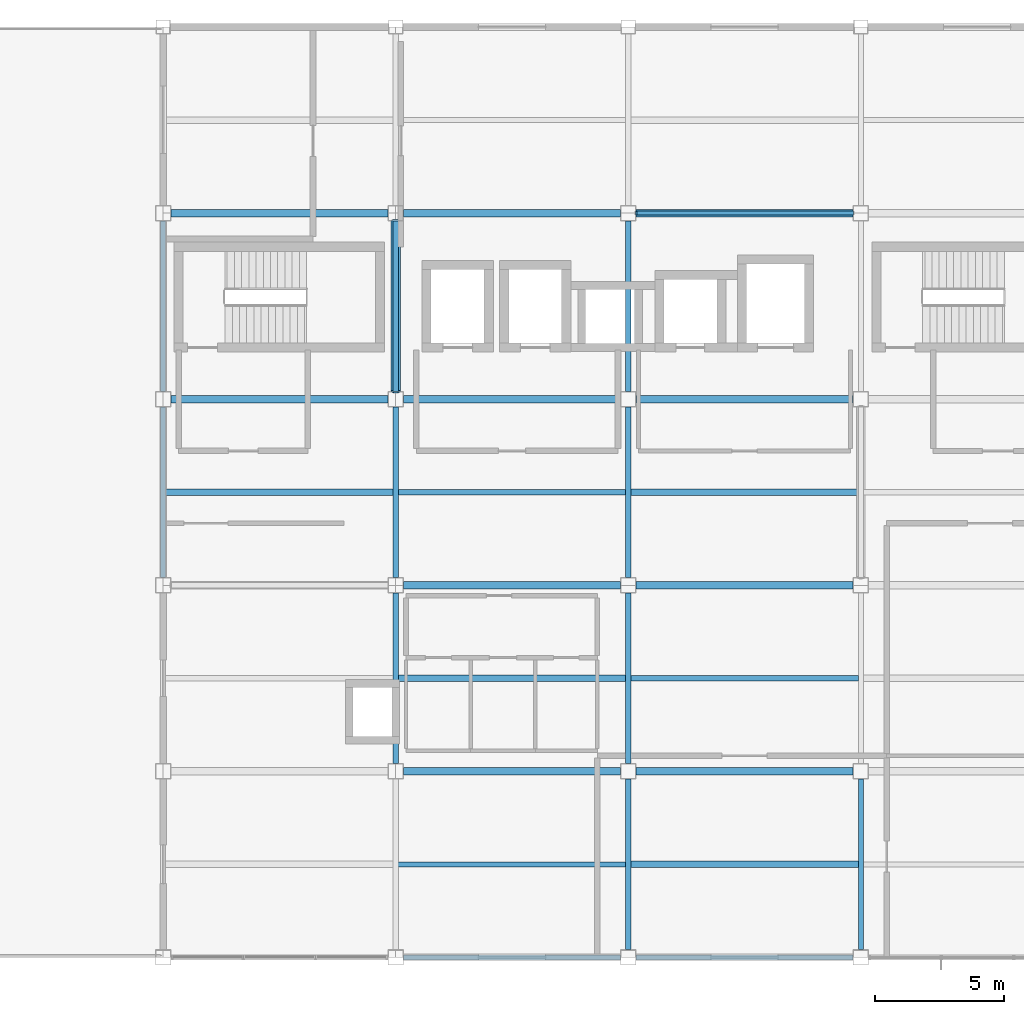
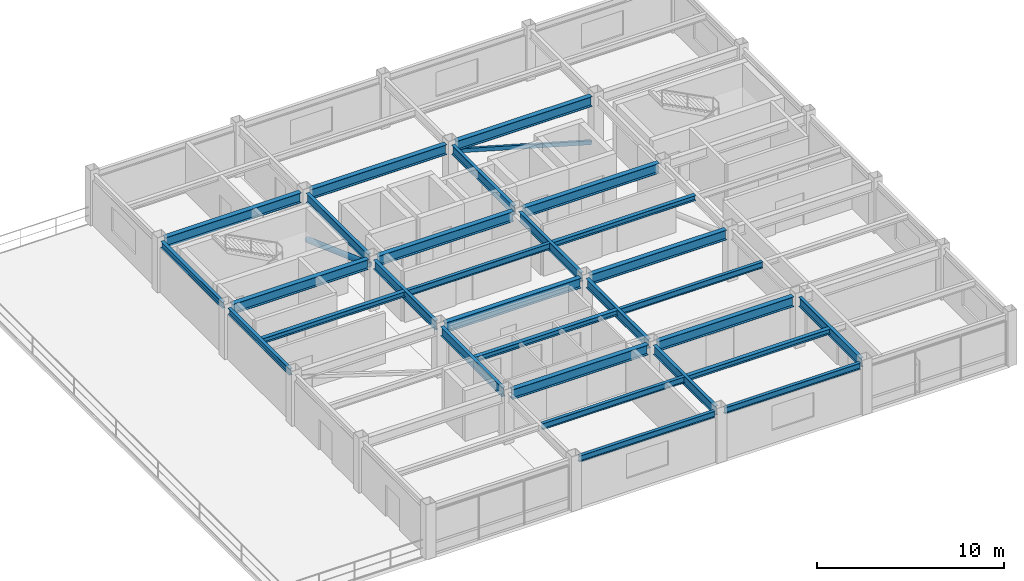
# One storey, part 3 of 11: 29 beams, 2 members.
"""IFC4 building model written with IfcOpenShell, lengths in metres."""

from ifc_helpers import new_model, si_unit, direction, frame, origin, origin_2d, place, context, subcontext, project, spatial, hollow_rectangle, hollow_circle, i_section, extrude, material, material_profile, profile_set, type_object, element, save


model = new_model("IFC4")

# Units and contexts
model_context = context("Model", 3, precision=1e-05, world=origin(), true_north=direction((0.0, 1.0)))
body_context = subcontext(model_context, "Body", "Model", "MODEL_VIEW")
ifc_project = project(units=[si_unit("LENGTHUNIT", "METRE"), si_unit("AREAUNIT", "SQUARE_METRE"), si_unit("VOLUMEUNIT", "CUBIC_METRE"), si_unit("PLANEANGLEUNIT", "RADIAN"), si_unit("MASSUNIT", "GRAM", prefix="KILO")], contexts=[model_context])

# Site, building, storey
site_placement = place(None, origin())
site = spatial("IfcSite", under=ifc_project, at=site_placement, CompositionType="ELEMENT")
building_placement = place(site_placement, origin())
building = spatial("IfcBuilding", under=site, at=building_placement, Name="Kazanami Central Library", CompositionType="ELEMENT")
storey_placement = place(building_placement, frame((0.0, 0.0, 24.199951171875)))
storey = spatial("IfcBuildingStorey", under=building, at=storey_placement, Name="L07", CompositionType="ELEMENT", Elevation=24.199951171875)

# Beams
ifc_material_1 = material(Name="Steel SN400B (235 MPa)", Category="steel")
ifc_material_profile_1 = material_profile(ifc_material_1, i_section(OverallWidth=0.199951171875, OverallDepth=0.39990234375, WebThickness=0.008056640625, FlangeThickness=0.012939453125, at=origin_2d()), Name="H-400x200x8x13")
ifc_profile_set_1 = profile_set([ifc_material_profile_1], Name="Steel SN400B (235 MPa)")
beam_type_1 = type_object("IfcBeamType", Name="BM-B-S1", PredefinedType="JOIST", material=ifc_profile_set_1)
for number, where, z_axis, x_axis, name in (
    (1, (135.097900390625, 61.199951171875, 3.1201171875), (1.0, 0.0, 0.0), (0.0, 1.0, 0.0), "Composite Secondary Joist B-S1 L07 Bay 16/J.1"),
    (2, (135.097900390625, 75.60009765625, 3.1201171875), (1.0, 0.0, 0.0), (0.0, 1.0, 0.0), "Composite Secondary Joist B-S1 L07 Bay 16/L.1"),
    (3, (144.097900390625, 68.39990234375, 3.1201171875), (1.0, 0.0, 0.0), (0.0, 1.0, 0.0), "Composite Secondary Joist B-S1 L07 Bay 17/K.1"),
):
    element("IfcBeam", number, at=place(storey_placement, frame(where, z_axis=z_axis, x_axis=x_axis)), inside=storey, type_object=beam_type_1, Name=name, PredefinedType="JOIST", context=body_context, shape_type="SweptSolid", body=[
        extrude(i_section(OverallWidth=0.199951171875, OverallDepth=0.39990234375, WebThickness=0.008056640625, FlangeThickness=0.012939453125, at=origin_2d()), origin(), (0.0, 0.0, 1.0), 8.80419921875),
    ])
ifc_material_profile_2 = material_profile(ifc_material_1, i_section(OverallWidth=0.25, OverallDepth=0.340087890625, WebThickness=0.009033203125, FlangeThickness=0.013916015625, at=origin_2d()), Name="H-340x250x9x14")
ifc_profile_set_2 = profile_set([ifc_material_profile_2], Name="Steel SN400B (235 MPa)")
beam_type_2 = type_object("IfcBeamType", Name="BM-B-S3", PredefinedType="JOIST", material=ifc_profile_set_2)
for number, where, z_axis, x_axis, name in (
    (4, (126.097900390625, 75.60009765625, 3.150146484375), (1.0, 0.0, 0.0), (0.0, 1.0, 0.0), "Composite Secondary Joist B-S3 L07 Bay 15/L.1"),
    (5, (135.097900390625, 68.39990234375, 3.150146484375), (1.0, 0.0, 0.0), (0.0, 1.0, 0.0), "Composite Secondary Joist B-S3 L07 Bay 16/K.1"),
    (6, (144.097900390625, 61.199951171875, 3.150146484375), (1.0, 0.0, 0.0), (0.0, 1.0, 0.0), "Composite Secondary Joist B-S3 L07 Bay 17/J.1"),
    (7, (144.097900390625, 75.60009765625, 3.150146484375), (1.0, 0.0, 0.0), (0.0, 1.0, 0.0), "Composite Secondary Joist B-S3 L07 Bay 17/L.1"),
):
    element("IfcBeam", number, at=place(storey_placement, frame(where, z_axis=z_axis, x_axis=x_axis)), inside=storey, type_object=beam_type_2, Name=name, PredefinedType="JOIST", context=body_context, shape_type="SweptSolid", body=[
        extrude(i_section(OverallWidth=0.25, OverallDepth=0.340087890625, WebThickness=0.009033203125, FlangeThickness=0.013916015625, at=origin_2d()), origin(), (0.0, 0.0, 1.0), 8.80419921875),
    ])
ifc_material_2 = material(Name="Steel SN490B (325 MPa)", Category="steel")
ifc_material_profile_3 = material_profile(ifc_material_2, i_section(OverallWidth=0.300048828125, OverallDepth=0.64990234375, WebThickness=0.012939453125, FlangeThickness=0.02099609375, at=origin_2d()), Name="H-650x300x13x21")
ifc_profile_set_3 = profile_set([ifc_material_profile_3], Name="Steel SN490B (325 MPa)")
beam_type_3 = type_object("IfcBeamType", Name="BM-G-TR", PredefinedType="BEAM", material=ifc_profile_set_3)
for number, where, z_axis, x_axis, name in (
    (8, (135.298095703125, 64.800048828125, 2.9951171875), (1.0, 0.0, 0.0), (0.0, 1.0, 0.0), "Girder G-TR L07 K/16-17"),
    (9, (144.298095703125, 64.800048828125, 2.9951171875), (1.0, 0.0, 0.0), (0.0, 1.0, 0.0), "Girder G-TR L07 K/17-18"),
    (10, (135.298095703125, 72.0, 2.9951171875), (1.0, 0.0, 0.0), (0.0, 1.0, 0.0), "Girder G-TR L07 L/16-17"),
    (11, (144.298095703125, 72.0, 2.9951171875), (1.0, 0.0, 0.0), (0.0, 1.0, 0.0), "Girder G-TR L07 L/17-18"),
    (12, (126.298095703125, 79.199951171875, 2.9951171875), (1.0, 0.0, 0.0), (0.0, 1.0, 0.0), "Girder G-TR L07 M/15-16"),
    (13, (135.298095703125, 79.199951171875, 2.9951171875), (1.0, 0.0, 0.0), (0.0, 1.0, 0.0), "Girder G-TR L07 M/16-17"),
    (14, (144.298095703125, 79.199951171875, 2.9951171875), (1.0, 0.0, 0.0), (0.0, 1.0, 0.0), "Girder G-TR L07 M/17-18"),
    (15, (126.298095703125, 86.39990234375, 2.9951171875), (1.0, 0.0, 0.0), (0.0, 1.0, 0.0), "Girder G-TR L07 N/15-16"),
    (16, (135.298095703125, 86.39990234375, 2.9951171875), (1.0, 0.0, 0.0), (0.0, 1.0, 0.0), "Girder G-TR L07 N/16-17"),
    (17, (144.298095703125, 86.39990234375, 2.9951171875), (1.0, 0.0, 0.0), (0.0, 1.0, 0.0), "Girder G-TR L07 N/17-18"),
):
    element("IfcBeam", number, at=place(storey_placement, frame(where, z_axis=z_axis, x_axis=x_axis)), inside=storey, type_object=beam_type_3, Name=name, PredefinedType="BEAM", context=body_context, shape_type="SweptSolid", body=[
        extrude(i_section(OverallWidth=0.300048828125, OverallDepth=0.64990234375, WebThickness=0.012939453125, FlangeThickness=0.02099609375, at=origin_2d()), origin(), (0.0, 0.0, 1.0), 8.40380859375),
    ])
ifc_material_profile_4 = material_profile(ifc_material_2, i_section(OverallWidth=0.199951171875, OverallDepth=0.60009765625, WebThickness=0.010986328125, FlangeThickness=0.01708984375, at=origin_2d()), Name="H-600x200x11x17")
ifc_profile_set_4 = profile_set([ifc_material_profile_4], Name="Steel SN490B (325 MPa)")
beam_type_4 = type_object("IfcBeamType", Name="BM-G-Y1", PredefinedType="BEAM", material=ifc_profile_set_4)
for number, where, z_axis, x_axis, name in (
    (18, (135.0, 65.097900390625, 3.02001953125), (0.0, 1.0, 0.0), (-1.0, 0.0, 0.0), "Girder G-Y1 L07 16/K-L"),
    (19, (135.0, 72.298095703125, 3.02001953125), (0.0, 1.0, 0.0), (-1.0, 0.0, 0.0), "Girder G-Y1 L07 16/L-M"),
    (20, (135.0, 79.498046875, 3.02001953125), (0.0, 1.0, 0.0), (-1.0, 0.0, 0.0), "Girder G-Y1 L07 16/M-N"),
    (21, (144.0, 57.89794921875, 3.02001953125), (0.0, 1.0, 0.0), (-1.0, 0.0, 0.0), "Girder G-Y1 L07 17/J-K"),
    (22, (144.0, 65.097900390625, 3.02001953125), (0.0, 1.0, 0.0), (-1.0, 0.0, 0.0), "Girder G-Y1 L07 17/K-L"),
    (23, (144.0, 72.298095703125, 3.02001953125), (0.0, 1.0, 0.0), (-1.0, 0.0, 0.0), "Girder G-Y1 L07 17/L-M"),
    (24, (144.0, 79.498046875, 3.02001953125), (0.0, 1.0, 0.0), (-1.0, 0.0, 0.0), "Girder G-Y1 L07 17/M-N"),
    (25, (153.0, 57.89794921875, 3.02001953125), (0.0, 1.0, 0.0), (-1.0, 0.0, 0.0), "Girder G-Y1 L07 18/J-K"),
):
    element("IfcBeam", number, at=place(storey_placement, frame(where, z_axis=z_axis, x_axis=x_axis)), inside=storey, type_object=beam_type_4, Name=name, PredefinedType="BEAM", context=body_context, shape_type="SweptSolid", body=[
        extrude(i_section(OverallWidth=0.199951171875, OverallDepth=0.60009765625, WebThickness=0.010986328125, FlangeThickness=0.01708984375, at=origin_2d()), origin(), (0.0, 0.0, 1.0), 6.60400390625),
    ])
ifc_material_profile_5 = material_profile(ifc_material_2, i_section(OverallWidth=0.199951171875, OverallDepth=0.39990234375, WebThickness=0.008056640625, FlangeThickness=0.012939453125, at=origin_2d()), Name="H-400x200x8x13")
ifc_profile_set_5 = profile_set([ifc_material_profile_5], Name="Steel SN490B (325 MPa)")
beam_type_5 = type_object("IfcBeamType", Name="BM-SP-3", PredefinedType="SPANDREL", material=ifc_profile_set_5)
for number, where, z_axis, x_axis, name in (
    (26, (135.298095703125, 57.60009765625, 3.1201171875), (1.0, 0.0, 0.0), (0.0, 1.0, 0.0), "Girder SP-3 L07 J/16-17"),
    (27, (144.298095703125, 57.60009765625, 3.1201171875), (1.0, 0.0, 0.0), (0.0, 1.0, 0.0), "Girder SP-3 L07 J/17-18"),
):
    element("IfcBeam", number, at=place(storey_placement, frame(where, z_axis=z_axis, x_axis=x_axis)), inside=storey, type_object=beam_type_5, Name=name, PredefinedType="SPANDREL", context=body_context, shape_type="SweptSolid", body=[
        extrude(i_section(OverallWidth=0.199951171875, OverallDepth=0.39990234375, WebThickness=0.008056640625, FlangeThickness=0.012939453125, at=origin_2d()), origin(), (0.0, 0.0, 1.0), 8.40380859375),
    ])
for number, where, z_axis, x_axis, name in (
    (28, (126.0, 72.298095703125, 3.1201171875), (0.0, 1.0, 0.0), (-1.0, 0.0, 0.0), "Girder SP-3 L07 15/L-M"),
    (29, (126.0, 79.498046875, 3.1201171875), (0.0, 1.0, 0.0), (-1.0, 0.0, 0.0), "Girder SP-3 L07 15/M-N"),
):
    element("IfcBeam", number, at=place(storey_placement, frame(where, z_axis=z_axis, x_axis=x_axis)), inside=storey, type_object=beam_type_5, Name=name, PredefinedType="SPANDREL", context=body_context, shape_type="SweptSolid", body=[
        extrude(i_section(OverallWidth=0.199951171875, OverallDepth=0.39990234375, WebThickness=0.008056640625, FlangeThickness=0.012939453125, at=origin_2d()), origin(), (0.0, 0.0, 1.0), 6.60400390625),
    ])

# Members
ifc_material_3 = material(Name="Steel STK490 (315 MPa)", Category="steel")
ifc_material_profile_6 = material_profile(ifc_material_3, hollow_circle(Radius=0.177734375, WallThickness=0.0126953125, at=origin_2d()), Name="CHS-355.6x12.7")
ifc_profile_set_6 = profile_set([ifc_material_profile_6], Name="Steel STK490 (315 MPa)")
member_type_1 = type_object("IfcMemberType", Name="MEM-BR-01", PredefinedType="BRACE", material=ifc_profile_set_6)
member_1_placement = place(storey_placement, frame((135.0, 86.10009765625, 0.25), z_axis=(0.0, -0.940245501227, 0.340497279611), x_axis=(1.0, 0.0, 0.0)))
element("IfcMember", 30, at=member_1_placement, inside=storey, type_object=member_type_1, Name="Concentric Steel Brace BR-01 L07 BF-V2C", PredefinedType="BRACE", context=body_context, shape_type="SweptSolid", body=[
    extrude(hollow_circle(Radius=0.177734375, WallThickness=0.0126953125, at=origin_2d()), origin(), (0.0, 0.0, 1.0), 7.01953125),
])
ifc_material_profile_7 = material_profile(ifc_material_3, hollow_rectangle(XDim=0.14990234375, YDim=0.25, WallThickness=0.009033203125, at=origin_2d()), Name="STKR-250x150x9")
ifc_profile_set_7 = profile_set([ifc_material_profile_7], Name="Steel STK490 (315 MPa)")
member_type_2 = type_object("IfcMemberType", Name="MEM-BR-09", PredefinedType="BRACE", material=ifc_profile_set_7)
member_2_placement = place(storey_placement, frame((152.699951171875, 86.39990234375, 0.25), z_axis=(-0.961820867657, 0.0, 0.273679773713), x_axis=(0.0, -1.0, 0.0)))
element("IfcMember", 31, at=member_2_placement, inside=storey, type_object=member_type_2, Name="Concentric Steel Brace BR-09 L07 BF-V2B", PredefinedType="BRACE", context=body_context, shape_type="SweptSolid", body=[
    extrude(hollow_rectangle(XDim=0.14990234375, YDim=0.25, WallThickness=0.009033203125, at=origin_2d()), origin(), (0.0, 0.0, 1.0), 8.7333984375),
])

save(model, "model.ifc")
